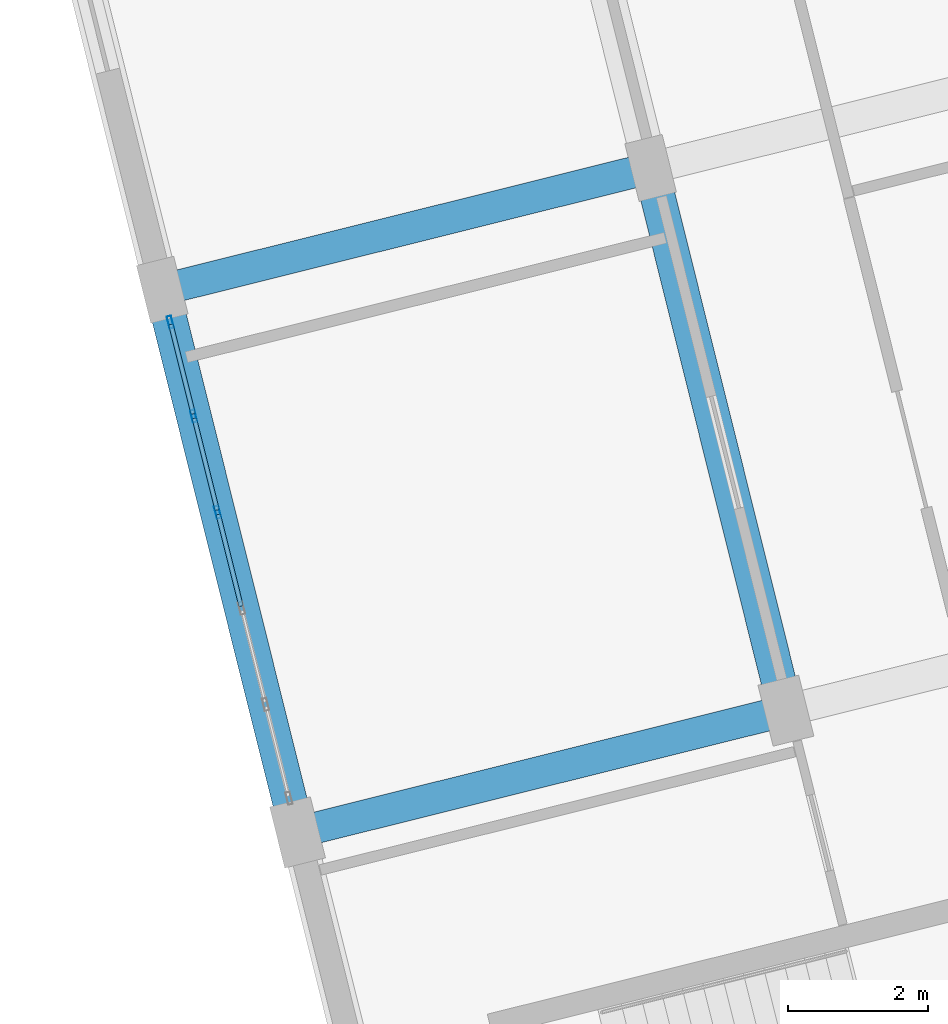
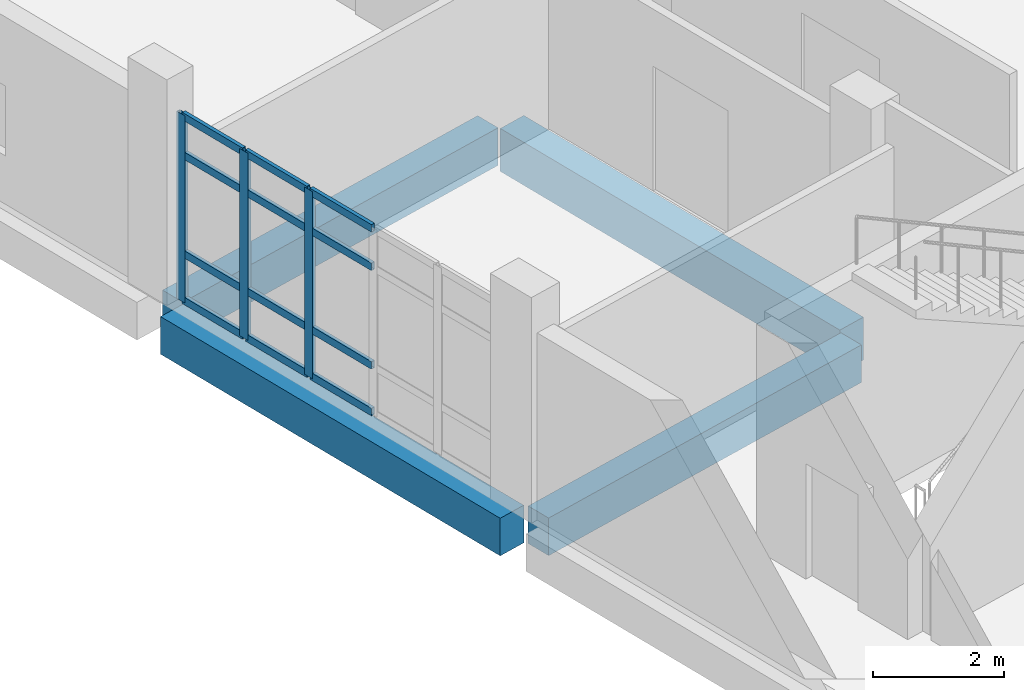
# One storey, part 55 of 164: 15 members, 4 beams, 1 element without a shape of its own.
"""IFC4 building model written with IfcOpenShell, lengths in metres."""

from ifc_helpers import new_model, si_unit, direction, frame, origin, origin_2d, place, context, subcontext, project, spatial, rectangle, hollow_rectangle, extrude, material, layer, layer_set, material_profile, profile_set, type_object, element, aggregate, save


model = new_model("IFC4")

# Units and contexts
model_context = context("Model", 3, precision=1e-05, world=origin(), true_north=direction((0.0, 1.0)))
body_context = subcontext(model_context, "Body", "Model", "MODEL_VIEW")
ifc_project = project(units=[si_unit("LENGTHUNIT", "METRE"), si_unit("AREAUNIT", "SQUARE_METRE"), si_unit("VOLUMEUNIT", "CUBIC_METRE"), si_unit("PLANEANGLEUNIT", "RADIAN"), si_unit("MASSUNIT", "GRAM", prefix="KILO")], contexts=[model_context])

# Site, building, storey
site_placement = place(None, origin())
site = spatial("IfcSite", under=ifc_project, at=site_placement, CompositionType="ELEMENT")
building_placement = place(site_placement, origin())
building = spatial("IfcBuilding", under=site, at=building_placement, Name="Mawjan Specialist Oncology Clinic", CompositionType="ELEMENT")
storey_placement = place(building_placement, frame((0.0, 0.0, 5.0)))
storey = spatial("IfcBuildingStorey", under=building, at=storey_placement, Name="L01", CompositionType="ELEMENT", Elevation=5.0)

# Beams
ifc_material_1 = material(Name="Concrete C40/50", Category="concrete")
ifc_material_profile_1 = material_profile(ifc_material_1, rectangle(XDim=0.449951171875, YDim=0.699951171875, at=origin_2d()), Name="RC BM 450x700", Category="concrete")
ifc_profile_set_1 = profile_set([ifc_material_profile_1], Name="Concrete C40/50")
beam_type_1 = type_object("IfcBeamType", Name="BM-450x700", PredefinedType="BEAM", material=ifc_profile_set_1)
beam_1_placement = place(storey_placement, frame((120.470458984375, 24.156005859375, -0.64990234375), z_axis=(0.970293935913, 0.241929076241, 0.0), x_axis=(-0.241929076241, 0.970293935913, 0.0)))
element("IfcBeam", 1, at=beam_1_placement, inside=storey, type_object=beam_type_1, Name="L01 Collector Beam BM-L01-0600", PredefinedType="BEAM", context=body_context, shape_type="SweptSolid", body=[
    extrude(rectangle(XDim=0.449951171875, YDim=0.699951171875, at=origin_2d()), origin(), (0.0, 0.0, 1.0), 6.630126953125),
])
beam_2_placement = place(storey_placement, frame((118.5107421875, 31.912353515625, -0.64990234375), z_axis=(0.970299236251, 0.241907817422, 0.0), x_axis=(-0.241907817422, 0.970299236251, 0.0)))
element("IfcBeam", 2, at=beam_2_placement, inside=storey, type_object=beam_type_1, Name="L01 Collector Beam BM-L01-0604", PredefinedType="BEAM", context=body_context, shape_type="SweptSolid", body=[
    extrude(rectangle(XDim=0.449951171875, YDim=0.699951171875, at=origin_2d()), origin(), (0.0, 0.0, 1.0), 6.68017578125),
])
ifc_material_2 = material(Name="Concrete C45/55", Category="concrete")
ifc_material_profile_2 = material_profile(ifc_material_2, rectangle(XDim=0.5, YDim=0.800048828125, at=origin_2d()), Name="RC BM 500x800", Category="concrete")
ifc_profile_set_2 = profile_set([ifc_material_profile_2], Name="Concrete C45/55")
beam_type_2 = type_object("IfcBeamType", Name="BM-500x800", PredefinedType="BEAM", material=ifc_profile_set_2)
beam_3_placement = place(storey_placement, frame((127.111083984375, 26.10546875, -0.699951171875), z_axis=(-0.241911431445, 0.970298335223, 0.0), x_axis=(-0.970298335223, -0.241911431445, 0.0)))
element("IfcBeam", 3, at=beam_3_placement, inside=storey, type_object=beam_type_2, Name="L01 Collector Beam BM-L01-0618", PredefinedType="BEAM", context=body_context, shape_type="SweptSolid", body=[
    extrude(rectangle(XDim=0.5, YDim=0.800048828125, at=origin_2d()), origin(), (0.0, 0.0, 1.0), 7.455078125),
])

# Curtain wall, members
ifc_material_3 = material(Name="Unitised spectrally selective aluminium curtain wall", Category="aluminium")
ifc_layer = layer(ifc_material_3, 0.179931640625, Name="Unitised spectrally selective aluminium curtain wall", Category="aluminium")
ifc_layer_set = layer_set([ifc_layer], Name="Unitised spectrally selective aluminium curtain wall")
curtain_wall_type = type_object("IfcCurtainWallType", Name="CW-47", PredefinedType="NOTDEFINED", material=ifc_layer_set)
curtain_wall_placement = place(storey_placement, origin())
curtain_wall = element("IfcCurtainWall", 4, at=curtain_wall_placement, inside=storey, type_object=curtain_wall_type, Name="L01 Unitised Curtain Wall CW-L01-091", PredefinedType="NOTDEFINED")
ifc_material_4 = material(Name="Thermally broken aluminium 6063-T6", Category="aluminium")
ifc_material_profile_3 = material_profile(ifc_material_4, hollow_rectangle(XDim=0.06494140625, YDim=0.179931640625, WallThickness=0.00390625, at=origin_2d()), Name="ALU MULLION 180x65x4", Category="aluminium")
ifc_profile_set_3 = profile_set([ifc_material_profile_3], Name="Thermally broken aluminium 6063-T6")
member_type_1 = type_object("IfcMemberType", Name="CW-M180", PredefinedType="MULLION", material=ifc_profile_set_3)
member_1_placement = place(storey_placement, frame((119.0517578125, 28.66796875, 0.0), z_axis=(0.0, 0.0, 1.0), x_axis=(-0.970295687333, -0.24192205179, 0.0)))
member_1 = element("IfcMember", 5, at=member_1_placement, type_object=member_type_1, Name="CW-47 mullion 4", PredefinedType="MULLION", context=body_context, shape_type="SweptSolid", body=[
    extrude(hollow_rectangle(XDim=0.06494140625, YDim=0.179931640625, WallThickness=0.00390625, at=origin_2d()), origin(), (0.0, 0.0, 1.0), 3.485107421875),
])
member_2_placement = place(storey_placement, frame((118.708984375, 30.042724609375, 0.0), z_axis=(0.0, 0.0, 1.0), x_axis=(-0.970295687333, -0.24192205179, 0.0)))
member_2 = element("IfcMember", 6, at=member_2_placement, type_object=member_type_1, Name="CW-47 mullion 5", PredefinedType="MULLION", context=body_context, shape_type="SweptSolid", body=[
    extrude(hollow_rectangle(XDim=0.06494140625, YDim=0.179931640625, WallThickness=0.00390625, at=origin_2d()), origin(), (0.0, 0.0, 1.0), 3.485107421875),
])
member_3_placement = place(storey_placement, frame((118.3740234375, 31.38623046875, 0.0), z_axis=(0.0, 0.0, 1.0), x_axis=(-0.970295687333, -0.24192205179, 0.0)))
member_3 = element("IfcMember", 7, at=member_3_placement, type_object=member_type_1, Name="CW-47 mullion 6", PredefinedType="MULLION", context=body_context, shape_type="SweptSolid", body=[
    extrude(hollow_rectangle(XDim=0.06494140625, YDim=0.179931640625, WallThickness=0.00390625, at=origin_2d()), origin(), (0.0, 0.0, 1.0), 3.485107421875),
])
ifc_material_5 = material(Name="Thermally broken aluminium 6063-T6", Category="aluminium")
ifc_material_profile_4 = material_profile(ifc_material_5, hollow_rectangle(XDim=0.06494140625, YDim=0.139892578125, WallThickness=0.00390625, at=origin_2d()), Name="ALU TRANSOM 140x65x4", Category="aluminium")
ifc_profile_set_4 = profile_set([ifc_material_profile_4], Name="Thermally broken aluminium 6063-T6")
member_type_2 = type_object("IfcMemberType", Name="CW-T140", PredefinedType="USERDEFINED", material=ifc_profile_set_4)
member_4_placement = place(storey_placement, frame((119.38671875, 27.324462890625, 0.032470703125), z_axis=(-0.241983209651, 0.970280436908, 0.0), x_axis=(-0.970280436908, -0.241983209651, 0.0)))
member_4 = element("IfcMember", 8, at=member_4_placement, type_object=member_type_2, Name="CW-47 transom 3.1", ObjectType="TRANSOM", PredefinedType="USERDEFINED", context=body_context, shape_type="SweptSolid", body=[
    extrude(hollow_rectangle(XDim=0.06494140625, YDim=0.139892578125, WallThickness=0.00390625, at=origin_2d()), origin(), (0.0, 0.0, 1.0), 1.35205078125),
])
member_5_placement = place(storey_placement, frame((119.38671875, 27.324462890625, 0.89990234375), z_axis=(-0.241983209651, 0.970280436908, 0.0), x_axis=(-0.970280436908, -0.241983209651, 0.0)))
member_5 = element("IfcMember", 9, at=member_5_placement, type_object=member_type_2, Name="CW-47 transom 3.2", ObjectType="TRANSOM", PredefinedType="USERDEFINED", context=body_context, shape_type="SweptSolid", body=[
    extrude(hollow_rectangle(XDim=0.06494140625, YDim=0.139892578125, WallThickness=0.00390625, at=origin_2d()), origin(), (0.0, 0.0, 1.0), 1.35205078125),
])
member_6_placement = place(storey_placement, frame((119.38671875, 27.324462890625, 2.735107421875), z_axis=(-0.241983209651, 0.970280436908, 0.0), x_axis=(-0.970280436908, -0.241983209651, 0.0)))
member_6 = element("IfcMember", 10, at=member_6_placement, type_object=member_type_2, Name="CW-47 transom 3.3", ObjectType="TRANSOM", PredefinedType="USERDEFINED", context=body_context, shape_type="SweptSolid", body=[
    extrude(hollow_rectangle(XDim=0.06494140625, YDim=0.139892578125, WallThickness=0.00390625, at=origin_2d()), origin(), (0.0, 0.0, 1.0), 1.35205078125),
])
member_7_placement = place(storey_placement, frame((119.38671875, 27.324462890625, 3.452392578125), z_axis=(-0.241983209651, 0.970280436908, 0.0), x_axis=(-0.970280436908, -0.241983209651, 0.0)))
member_7 = element("IfcMember", 11, at=member_7_placement, type_object=member_type_2, Name="CW-47 transom 3.4", ObjectType="TRANSOM", PredefinedType="USERDEFINED", context=body_context, shape_type="SweptSolid", body=[
    extrude(hollow_rectangle(XDim=0.06494140625, YDim=0.139892578125, WallThickness=0.00390625, at=origin_2d()), origin(), (0.0, 0.0, 1.0), 1.35205078125),
])
member_8_placement = place(storey_placement, frame((119.0439453125, 28.699462890625, 0.032470703125), z_axis=(-0.241983209651, 0.970280436908, 0.0), x_axis=(-0.970280436908, -0.241983209651, 0.0)))
member_8 = element("IfcMember", 12, at=member_8_placement, type_object=member_type_2, Name="CW-47 transom 4.1", ObjectType="TRANSOM", PredefinedType="USERDEFINED", context=body_context, shape_type="SweptSolid", body=[
    extrude(hollow_rectangle(XDim=0.06494140625, YDim=0.139892578125, WallThickness=0.00390625, at=origin_2d()), origin(), (0.0, 0.0, 1.0), 1.35205078125),
])
member_9_placement = place(storey_placement, frame((119.0439453125, 28.699462890625, 0.89990234375), z_axis=(-0.241983209651, 0.970280436908, 0.0), x_axis=(-0.970280436908, -0.241983209651, 0.0)))
member_9 = element("IfcMember", 13, at=member_9_placement, type_object=member_type_2, Name="CW-47 transom 4.2", ObjectType="TRANSOM", PredefinedType="USERDEFINED", context=body_context, shape_type="SweptSolid", body=[
    extrude(hollow_rectangle(XDim=0.06494140625, YDim=0.139892578125, WallThickness=0.00390625, at=origin_2d()), origin(), (0.0, 0.0, 1.0), 1.35205078125),
])
member_10_placement = place(storey_placement, frame((119.0439453125, 28.699462890625, 2.735107421875), z_axis=(-0.241983209651, 0.970280436908, 0.0), x_axis=(-0.970280436908, -0.241983209651, 0.0)))
member_10 = element("IfcMember", 14, at=member_10_placement, type_object=member_type_2, Name="CW-47 transom 4.3", ObjectType="TRANSOM", PredefinedType="USERDEFINED", context=body_context, shape_type="SweptSolid", body=[
    extrude(hollow_rectangle(XDim=0.06494140625, YDim=0.139892578125, WallThickness=0.00390625, at=origin_2d()), origin(), (0.0, 0.0, 1.0), 1.35205078125),
])
member_11_placement = place(storey_placement, frame((119.0439453125, 28.699462890625, 3.452392578125), z_axis=(-0.241983209651, 0.970280436908, 0.0), x_axis=(-0.970280436908, -0.241983209651, 0.0)))
member_11 = element("IfcMember", 15, at=member_11_placement, type_object=member_type_2, Name="CW-47 transom 4.4", ObjectType="TRANSOM", PredefinedType="USERDEFINED", context=body_context, shape_type="SweptSolid", body=[
    extrude(hollow_rectangle(XDim=0.06494140625, YDim=0.139892578125, WallThickness=0.00390625, at=origin_2d()), origin(), (0.0, 0.0, 1.0), 1.35205078125),
])
member_12_placement = place(storey_placement, frame((118.701171875, 30.07421875, 0.032470703125), z_axis=(-0.242013165337, 0.970272965615, 0.0), x_axis=(-0.970272965615, -0.242013165337, 0.0)))
member_12 = element("IfcMember", 16, at=member_12_placement, type_object=member_type_2, Name="CW-47 transom 5.1", ObjectType="TRANSOM", PredefinedType="USERDEFINED", context=body_context, shape_type="SweptSolid", body=[
    extrude(hollow_rectangle(XDim=0.06494140625, YDim=0.139892578125, WallThickness=0.00390625, at=origin_2d()), origin(), (0.0, 0.0, 1.0), 1.319580078125),
])
member_13_placement = place(storey_placement, frame((118.701171875, 30.07421875, 0.89990234375), z_axis=(-0.242013165337, 0.970272965615, 0.0), x_axis=(-0.970272965615, -0.242013165337, 0.0)))
member_13 = element("IfcMember", 17, at=member_13_placement, type_object=member_type_2, Name="CW-47 transom 5.2", ObjectType="TRANSOM", PredefinedType="USERDEFINED", context=body_context, shape_type="SweptSolid", body=[
    extrude(hollow_rectangle(XDim=0.06494140625, YDim=0.139892578125, WallThickness=0.00390625, at=origin_2d()), origin(), (0.0, 0.0, 1.0), 1.319580078125),
])
member_14_placement = place(storey_placement, frame((118.701171875, 30.07421875, 2.735107421875), z_axis=(-0.242013165337, 0.970272965615, 0.0), x_axis=(-0.970272965615, -0.242013165337, 0.0)))
member_14 = element("IfcMember", 18, at=member_14_placement, type_object=member_type_2, Name="CW-47 transom 5.3", ObjectType="TRANSOM", PredefinedType="USERDEFINED", context=body_context, shape_type="SweptSolid", body=[
    extrude(hollow_rectangle(XDim=0.06494140625, YDim=0.139892578125, WallThickness=0.00390625, at=origin_2d()), origin(), (0.0, 0.0, 1.0), 1.319580078125),
])
member_15_placement = place(storey_placement, frame((118.701171875, 30.07421875, 3.452392578125), z_axis=(-0.242013165337, 0.970272965615, 0.0), x_axis=(-0.970272965615, -0.242013165337, 0.0)))
member_15 = element("IfcMember", 19, at=member_15_placement, type_object=member_type_2, Name="CW-47 transom 5.4", ObjectType="TRANSOM", PredefinedType="USERDEFINED", context=body_context, shape_type="SweptSolid", body=[
    extrude(hollow_rectangle(XDim=0.06494140625, YDim=0.139892578125, WallThickness=0.00390625, at=origin_2d()), origin(), (0.0, 0.0, 1.0), 1.319580078125),
])
aggregate(curtain_wall, [member_1, member_2, member_3, member_4, member_5, member_6, member_7, member_8, member_9, member_10, member_11, member_12, member_13, member_14, member_15])

# Beam
ifc_material_6 = material(Name="Concrete C45/55", Category="concrete")
ifc_material_profile_5 = material_profile(ifc_material_6, rectangle(XDim=0.5, YDim=0.699951171875, at=origin_2d()), Name="RC BM 500x700", Category="concrete")
ifc_profile_set_5 = profile_set([ifc_material_profile_5], Name="Concrete C45/55")
beam_type_3 = type_object("IfcBeamType", Name="SP-500x700", PredefinedType="SPANDREL", material=ifc_profile_set_5)
beam_4_placement = place(storey_placement, frame((120.125, 24.363525390625, -0.64990234375), z_axis=(-0.241942262878, 0.970290647916, 0.0), x_axis=(-0.970290647916, -0.241942262878, 0.0)))
element("IfcBeam", 20, at=beam_4_placement, inside=storey, type_object=beam_type_3, Name="L01 Spandrel Beam BM-L01-0615", PredefinedType="SPANDREL", context=body_context, shape_type="SweptSolid", body=[
    extrude(rectangle(XDim=0.5, YDim=0.699951171875, at=origin_2d()), origin(), (0.0, 0.0, 1.0), 7.455078125),
])

save(model, "model.ifc")
